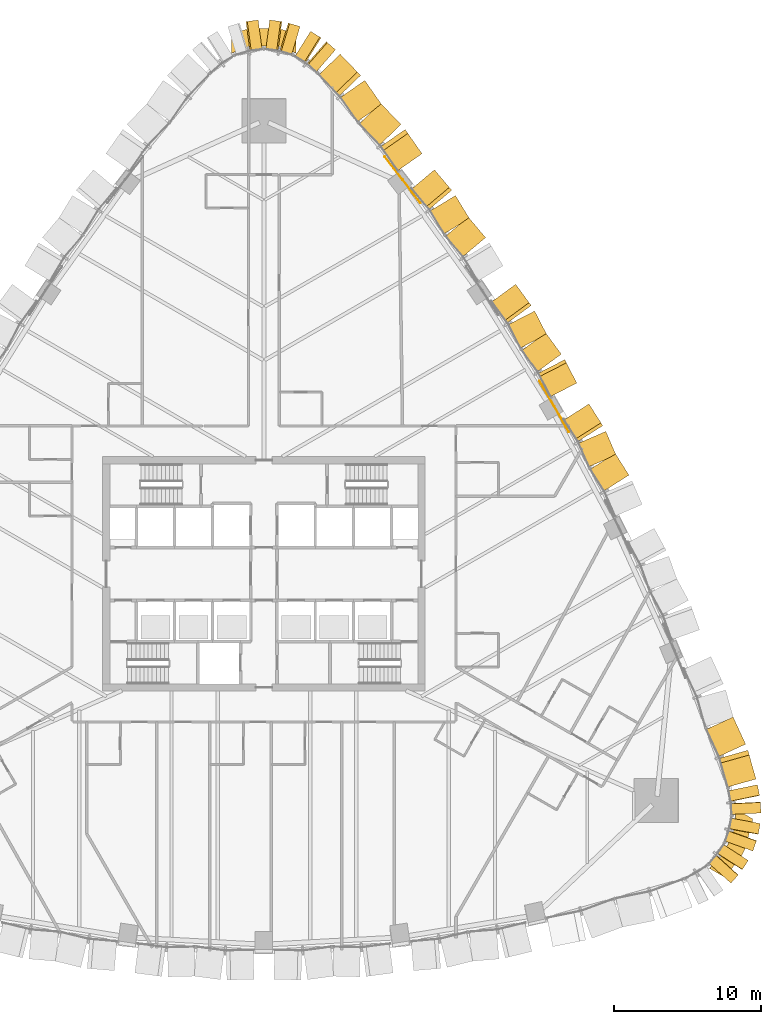
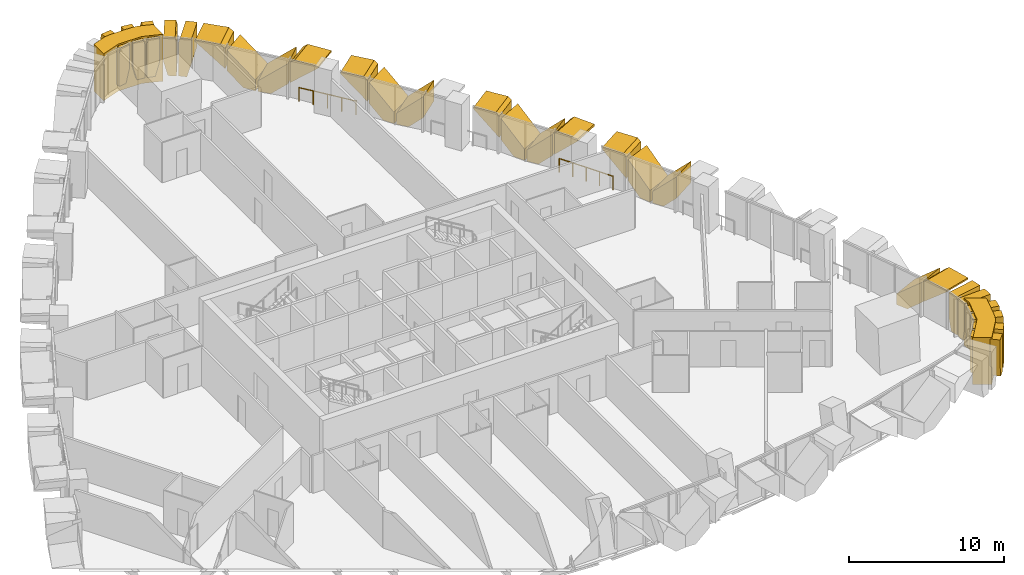
# One storey, part 21 of 22: 29 coverings, 2 railings.
"""IFC4 building model written with IfcOpenShell, lengths in metres."""

from ifc_helpers import new_model, si_unit, direction, frame, origin, origin_2d, place, context, subcontext, project, spatial, polyline, circle, outline, extrude, material, layer, layer_set, type_object, element, save


model = new_model("IFC4")

# Units and contexts
model_context = context("Model", 3, precision=1e-05, world=origin(), true_north=direction((0.0, 1.0)))
body_context = subcontext(model_context, "Body", "Model", "MODEL_VIEW")
ifc_project = project(units=[si_unit("LENGTHUNIT", "METRE"), si_unit("AREAUNIT", "SQUARE_METRE"), si_unit("VOLUMEUNIT", "CUBIC_METRE"), si_unit("PLANEANGLEUNIT", "RADIAN"), si_unit("MASSUNIT", "GRAM", prefix="KILO")], contexts=[model_context])

# Site, building, storey
site_placement = place(None, origin())
site = spatial("IfcSite", under=ifc_project, at=site_placement, CompositionType="ELEMENT")
building_placement = place(site_placement, origin())
building = spatial("IfcBuilding", under=site, at=building_placement, Name="Sierra Prisma Convention Tower", CompositionType="ELEMENT")
storey_placement = place(building_placement, frame((0.0, 0.0, 62.800048828125)))
storey = spatial("IfcBuildingStorey", under=building, at=storey_placement, Name="L11", CompositionType="ELEMENT", Elevation=62.800048828125)

# Coverings
ifc_material_1 = material(Name="Aluminium composite bronze anodised", Category="aluminium")
ifc_layer_1 = layer(ifc_material_1, 1.199951171875)
ifc_layer_set_1 = layer_set([ifc_layer_1], Name="Bronze corner pier")
covering_type_1 = type_object("IfcCoveringType", Name="Bronze corner pier", PredefinedType="CLADDING", material=ifc_layer_set_1)
covering_1_placement = place(storey_placement, frame((0.0, 0.0, -0.60009765625)))
element("IfcCovering", 1, at=covering_1_placement, inside=storey, type_object=covering_type_1, Name="Corner pier SE L11.1", PredefinedType="CLADDING", context=body_context, shape_type="SweptSolid", body=[
    extrude(outline(polyline([(33.322265625, -16.860107421875), (32.806640625, -18.777099609375), (32.602294921875, -19.192626953125), (31.453369140625, -20.699951171875), (30.381591796875, -20.0810546875), (30.4443359375, -20.044189453125), (31.647705078125, -18.465087890625), (32.16357421875, -16.548095703125), (32.0927734375, -15.988525390625), (33.3330078125, -16.70458984375), (33.322265625, -16.860107421875)])), origin(), (0.0, 0.0, 1.0), 3.699951171875),
])
covering_2_placement = place(storey_placement, frame((0.0, 0.0, -0.60009765625)))
element("IfcCovering", 2, at=covering_2_placement, inside=storey, type_object=covering_type_1, Name="Corner pier N L11.1", PredefinedType="CLADDING", context=body_context, shape_type="SweptSolid", body=[
    extrude(outline(polyline([(-1.26904296875, 37.133544921875), (-0.869140625, 37.2021484375), (0.869140625, 37.2021484375), (1.26904296875, 37.133544921875), (2.199951171875, 36.8046875), (2.199951171875, 35.531982421875), (0.869140625, 36.002197265625), (-0.869140625, 36.002197265625), (-2.199951171875, 35.531982421875), (-2.199951171875, 36.8046875), (-1.26904296875, 37.133544921875)])), origin(), (0.0, 0.0, 1.0), 3.699951171875),
])
ifc_material_2 = material(Name="Aluminium 6063-T6 bronze anodised", Category="aluminium")
ifc_layer_2 = layer(ifc_material_2, 2.0)
ifc_layer_set_2 = layer_set([ifc_layer_2], Name="Bronze crystal chevron frame")
covering_type_2 = type_object("IfcCoveringType", Name="Bronze crystal chevron frame", PredefinedType="CLADDING", material=ifc_layer_set_2)
covering_3_placement = place(storey_placement, frame((31.8515625, -21.090087890625, 2.97998046875), z_axis=(0.745301361031, -0.666727741292, -1.5376713e-05), x_axis=(-1.1460285e-05, 1.0252081e-05, -0.999999999882)))
element("IfcCovering", 3, at=covering_3_placement, inside=storey, type_object=covering_type_2, Name="CW-2 chevron frame SE2.1.1", PredefinedType="CLADDING", context=body_context, shape_type="SweptSolid", body=[
    extrude(outline(polyline([(0.0, 0.0), (2.1345214841226534, 0.0), (2.979980466941989, 0.20055938361238712), (2.979980468239649, 0.7521168715590856), (0.10449218732959416, 0.7521168715590856), (-2.921495473278123e-09, 0.7273820907688204), (0.0, 0.0)])), origin(), (0.0, 0.0, -1.0), 2.0),
])
covering_4_placement = place(storey_placement, frame((32.621826171875, -20.177001953125, 0.0), z_axis=(0.84047336204, -0.541852863517, 4.470898e-05), x_axis=(0.541852864059, 0.84047336288, -1.1896e-08)))
element("IfcCovering", 4, at=covering_4_placement, inside=storey, type_object=covering_type_2, Name="CW-2 chevron frame SE2.1.2", PredefinedType="CLADDING", context=body_context, shape_type="SweptSolid", body=[
    extrude(outline(polyline([(0.0, 0.0), (0.5517159850052902, -3.3881317890172014e-21), (0.7520356263222021, 0.8454589936443122), (0.7520356009301955, 2.9799804758859723), (0.02492247840084312, 2.9799804701429413), (-3.420645710714503e-08, 2.8754882783761033), (0.0, 0.0)])), origin(), (0.0, 0.0, -1.0), 2.0),
])
covering_5_placement = place(storey_placement, frame((33.346435546875, -18.900390625, 2.97998046875), z_axis=(0.942322413244, -0.334706541419, -2.5097434e-05), x_axis=(-2.3649874e-05, 8.400275e-06, -0.999999999685)))
element("IfcCovering", 5, at=covering_5_placement, inside=storey, type_object=covering_type_2, Name="CW-2 chevron frame SE3.1.1", PredefinedType="CLADDING", context=body_context, shape_type="SweptSolid", body=[
    extrude(outline(polyline([(0.0, 0.0), (2.134521483702753, -3.6160200477755605e-21), (2.9799804731209254, 0.20045584483838508), (2.9799804685386824, 0.7521104518602785), (0.10449218819428985, 0.7521104518602785), (2.2090294509080264e-09, 0.7274765036917785), (0.0, 0.0)])), origin(), (0.0, 0.0, -1.0), 2.0),
])
covering_6_placement = place(storey_placement, frame((33.71337890625, -17.763427734375, 0.0), z_axis=(0.983088644382, -0.183130324468, 3.9333451e-05), x_axis=(0.18313032461, 0.983088645143, -4.635e-09)))
element("IfcCovering", 6, at=covering_6_placement, inside=storey, type_object=covering_type_2, Name="CW-2 chevron frame SE3.1.2", PredefinedType="CLADDING", context=body_context, shape_type="SweptSolid", body=[
    extrude(outline(polyline([(0.0, 0.0), (0.5515761316528729, 8.470329472543003e-22), (0.7519721446580743, 0.8454589877504296), (0.7519721347638046, 2.9799804704742483), (0.024805945746598158, 2.97998047248897), (-1.3328915301888635e-08, 2.875488279025636), (0.0, 0.0)])), origin(), (0.0, 0.0, -1.0), 2.0),
])
covering_7_placement = place(storey_placement, frame((33.900390625, -16.3076171875, 2.97998046875), z_axis=(0.998892114101, 0.047058942783, 1.7064717e-05), x_axis=(1.7045811e-05, 8.03048e-07, -0.999999999854)))
element("IfcCovering", 7, at=covering_7_placement, inside=storey, type_object=covering_type_2, Name="CW-2 chevron frame SE4.1.1", PredefinedType="CLADDING", context=body_context, shape_type="SweptSolid", body=[
    extrude(outline(polyline([(0.0, 0.0), (2.134521484064209, 0.0), (2.9799804667810363, 0.2004215899538072), (2.9799804681536703, 0.7520543413673055), (0.10449218732234761, 0.7520543413673055), (-3.3178473548976773e-09, 0.7273775007154407), (0.0, 0.0)])), origin(), (0.0, 0.0, -1.0), 2.0),
])
covering_8_placement = place(storey_placement, frame((33.809326171875, -15.116455078125, 0.0), z_axis=(0.979213870913, 0.202830456512, 3.0361955e-05), x_axis=(-0.202830456605, 0.979213871365, -5.157e-09)))
element("IfcCovering", 8, at=covering_8_placement, inside=storey, type_object=covering_type_2, Name="CW-2 chevron frame SE4.1.2", PredefinedType="CLADDING", context=body_context, shape_type="SweptSolid", body=[
    extrude(outline(polyline([(0.0, 0.0), (0.5517325797010699, 4.235164736271502e-22), (0.7522112469304656, 0.8454589883773019), (0.7522112359226721, 2.979980471768449), (0.02494647553185384, 2.979980469583932), (-1.4828982200340594e-08, 2.8754882799246175), (0.0, 0.0)])), origin(), (0.0, 0.0, -1.0), 2.0),
])
covering_9_placement = place(storey_placement, frame((33.56201171875, -13.9912109375, 2.97998046875), z_axis=(0.962457060128, 0.271433983008, 1.6677206e-05), x_axis=(1.6051095e-05, 4.52676e-06, -0.999999999861)))
element("IfcCovering", 9, at=covering_9_placement, inside=storey, type_object=covering_type_2, Name="CW-2 chevron frame NE1.1.1", PredefinedType="CLADDING", context=body_context, shape_type="SweptSolid", body=[
    extrude(outline(polyline([(0.0, 0.0), (0.12060546873322806, -1.0215680565029892e-22), (1.863769531070126, 2.0399638555111608), (0.28515625003965517, 2.0399638555111608), (-4.726023523688485e-10, 1.7061514778220512), (0.0, 0.0)])), origin(), (0.0, 0.0, -1.0), 2.0),
])
covering_10_placement = place(storey_placement, frame((32.85498046875, -11.61181640625, 2.583740234375), z_axis=(0.908180613768, 0.418578512833, -3.7024406e-05), x_axis=(-3.3624848e-05, -1.5497621e-05, -0.999999999315)))
element("IfcCovering", 10, at=covering_10_placement, inside=storey, type_object=covering_type_2, Name="CW-2 chevron frame NE1.1.2", PredefinedType="CLADDING", context=body_context, shape_type="SweptSolid", body=[
    extrude(outline(polyline([(0.0, 0.0), (1.5786132801680133, 0.0), (2.583740237298172, 1.176162853740327), (2.583740233981931, 2.0395838334373684), (1.7431640626830645, 2.0395838334373684), (0.0, 0.0)])), origin(), (0.0, 0.0, -1.0), 2.0),
])
covering_11_placement = place(storey_placement, frame((24.897705078125, 6.741455078125, 2.6279296875), z_axis=(0.844182567568, 0.536055773422, -1.9893637e-05), x_axis=(-1.6793862e-05, -1.0664099e-05, -0.999999999802)))
element("IfcCovering", 11, at=covering_11_placement, inside=storey, type_object=covering_type_2, Name="CW-2 chevron frame NE3.1.2", PredefinedType="CLADDING", context=body_context, shape_type="SweptSolid", body=[
    extrude(outline(polyline([(0.0, 0.0), (1.683837890291805, 2.852532342389116e-21), (2.6279296883765397, 0.9590436654439747), (2.6279296873536206, 1.7543208729270194), (1.7270507812818847, 1.7543208729270194), (0.0, 0.0)])), origin(), (0.0, 0.0, -1.0), 2.0),
])
covering_12_placement = place(storey_placement, frame((24.015380859375, 8.112548828125, 0.0), z_axis=(0.917620305561, 0.397458141106, -2.9839609e-05), x_axis=(-0.397458141283, 0.91762030597, -2.894e-09)))
element("IfcCovering", 12, at=covering_12_placement, inside=storey, type_object=covering_type_2, Name="CW-2 chevron frame NE3.2.1", PredefinedType="CLADDING", context=body_context, shape_type="SweptSolid", body=[
    extrude(outline(polyline([(0.0, 0.0), (0.7952820770275428, 1.6940658945086007e-21), (1.7543771332709117, 0.9440918023722383), (1.7543771283981149, 2.6279296922475917), (-2.6070204390299747e-09, 0.9008789058489276), (0.0, 0.0)])), origin(), (0.0, 0.0, -1.0), 2.0),
])
covering_13_placement = place(storey_placement, frame((22.169921875, 11.59521484375, 2.97998046875), z_axis=(0.844171641928, 0.536072973795, -7.5701888e-05), x_axis=(0.536072975332, -0.844171644347, 7e-09)))
element("IfcCovering", 13, at=covering_13_placement, inside=storey, type_object=covering_type_2, Name="CW-2 chevron frame NE3.2.2", PredefinedType="CLADDING", context=body_context, shape_type="SweptSolid", body=[
    extrude(outline(polyline([(0.0, 0.0), (1.5268151359358988, 0.0), (1.7543208713766443, 0.2241211066725951), (1.7543208595896302, 1.9079589924727463), (-1.2680824237518165e-09, 0.18115234323092824), (0.0, 0.0)])), origin(), (0.0, 0.0, -1.0), 2.0),
])
covering_14_placement = place(storey_placement, frame((21.33837890625, 13.019775390625, 2.97998046875), z_axis=(0.889008997325, 0.457889727385, -1.5197877e-05), x_axis=(-1.3511049e-05, -6.958952e-06, -0.999999999885)))
element("IfcCovering", 14, at=covering_14_placement, inside=storey, type_object=covering_type_2, Name="CW-2 chevron frame NE4.1.1", PredefinedType="CLADDING", context=body_context, shape_type="SweptSolid", body=[
    extrude(outline(polyline([(0.0, 0.0), (0.17065429685529152, 0.0), (1.9003906248347195, 1.7962984238063513), (0.23461914065209563, 1.7962984238063513), (-4.241692730003421e-10, 1.5526933002328134), (0.0, 0.0)])), origin(), (0.0, 0.0, -1.0), 2.0),
])
covering_15_placement = place(storey_placement, frame((20.282470703125, 14.99365234375, 2.620361328125), z_axis=(0.806340683124, 0.591451352093, -2.9107441e-05), x_axis=(-2.3470514e-05, -1.7215635e-05, -0.999999999576)))
element("IfcCovering", 15, at=covering_15_placement, inside=storey, type_object=covering_type_2, Name="CW-2 chevron frame NE4.1.2", PredefinedType="CLADDING", context=body_context, shape_type="SweptSolid", body=[
    extrude(outline(polyline([(0.0, 0.0), (1.6660156242942399, 2.8223402500309304e-21), (2.620361329989618, 0.9913636586899384), (2.6203613278235216, 1.7963905176752066), (1.7297363282008091, 1.7963905176752066), (0.0, 0.0)])), origin(), (0.0, 0.0, -1.0), 2.0),
])
covering_16_placement = place(storey_placement, frame((19.285400390625, 16.336669921875, 0.0), z_axis=(0.888929847842, 0.458043365945, 2.3017126e-05), x_axis=(-0.458043366066, 0.888929848077, -1.683e-09)))
element("IfcCovering", 16, at=covering_16_placement, inside=storey, type_object=covering_type_2, Name="CW-2 chevron frame NE4.2.1", PredefinedType="CLADDING", context=body_context, shape_type="SweptSolid", body=[
    extrude(outline(polyline([(0.0, 0.0), (0.8049557781920289, 8.470329472543003e-22), (1.7961931990945106, 0.9543457064002071), (1.7961931962911502, 2.6203613309588896), (-1.4986310876369937e-09, 0.8906249997640787), (0.0, 0.0)])), origin(), (0.0, 0.0, -1.0), 2.0),
])
covering_17_placement = place(storey_placement, frame((17.1669921875, 19.759033203125, 2.97998046875), z_axis=(0.806391743114, 0.591381732113, -5.9669448e-05), x_axis=(0.591381733166, -0.806391744549, 4.21e-09)))
element("IfcCovering", 17, at=covering_17_placement, inside=storey, type_object=covering_type_2, Name="CW-2 chevron frame NE4.2.2", PredefinedType="CLADDING", context=body_context, shape_type="SweptSolid", body=[
    extrude(outline(polyline([(0.0, 0.0), (1.5529202485265752, 6.776263578034403e-21), (1.7962461272878856, 0.2346191486056742), (1.7962461202742421, 1.900390630015232), (-7.185309710749492e-10, 0.17065429657119754), (0.0, 0.0)])), origin(), (0.0, 0.0, -1.0), 2.0),
])
covering_18_placement = place(storey_placement, frame((15.116943359375, 22.943359375, 2.614501953125), z_axis=(0.765020947194, 0.644005396173, -7.39991e-06), x_axis=(-5.661086e-06, -4.765582e-06, -0.999999999973)))
element("IfcCovering", 18, at=covering_18_placement, inside=storey, type_object=covering_type_2, Name="CW-2 chevron frame NE5.1.2", PredefinedType="CLADDING", context=body_context, shape_type="SweptSolid", body=[
    extrude(outline(polyline([(0.0, 0.0), (1.6520996093297666, -6.996914006432923e-22), (2.614501953244925, 1.0170869718634914), (2.614501953106117, 1.8298935934427574), (1.7316894531302873, 1.8298935934427574), (0.0, 0.0)])), origin(), (0.0, 0.0, -1.0), 2.0),
])
covering_19_placement = place(storey_placement, frame((14.0107421875, 24.2421875, 0.0), z_axis=(0.856335439645, 0.516419998418, -6.46448e-06), x_axis=(-0.516419998429, 0.856335439663, -1.3e-10)))
element("IfcCovering", 19, at=covering_19_placement, inside=storey, type_object=covering_type_2, Name="CW-2 chevron frame NE5.2.1", PredefinedType="CLADDING", context=body_context, shape_type="SweptSolid", body=[
    extrude(outline(polyline([(0.0, 0.0), (0.813113054496184, 8.470329472543003e-22), (1.8300485841311087, 0.9624023440085289), (1.8300485839158724, 2.614501953349009), (-1.1501320201631027e-10, 0.882812499981554), (0.0, 0.0)])), origin(), (0.0, 0.0, -1.0), 2.0),
])
covering_20_placement = place(storey_placement, frame((11.62890625, 27.56982421875, 2.97998046875), z_axis=(0.764951748938, 0.644087588508, -1.1267508e-05), x_axis=(0.644087588549, -0.764951748986, 1.46e-10)))
element("IfcCovering", 20, at=covering_20_placement, inside=storey, type_object=covering_type_2, Name="CW-2 chevron frame NE5.2.2", PredefinedType="CLADDING", context=body_context, shape_type="SweptSolid", body=[
    extrude(outline(polyline([(0.0, 0.0), (1.5737863139420614, 0.0), (1.8300508315567348, 0.24243164090832806), (1.8300508313148498, 1.8945312501784557), (-2.384176945647665e-11, 0.16284179686466307), (0.0, 0.0)])), origin(), (0.0, 0.0, -1.0), 2.0),
])
covering_21_placement = place(storey_placement, frame((10.782958984375, 28.666015625, 2.97998046875), z_axis=(0.819836289552, 0.572597987092, 5.9260861e-05), x_axis=(4.8584204e-05, 3.393265e-05, -0.999999998244)))
element("IfcCovering", 21, at=covering_21_placement, inside=storey, type_object=covering_type_2, Name="CW-2 chevron frame NE6.1.1", PredefinedType="CLADDING", context=body_context, shape_type="SweptSolid", body=[
    extrude(outline(polyline([(0.0, 0.0), (0.12524414040508072, 0.0), (1.8671874977056375, 2.013359585739724), (0.2802734379921391, 2.013359585739724), (-6.012842131979828e-09, 1.6891466482778488), (0.0, 0.0)])), origin(), (0.0, 0.0, -1.0), 2.0),
])
covering_22_placement = place(storey_placement, frame((9.3486328125, 30.6591796875, 2.587158203125), z_axis=(0.720083183984, 0.693887748946, -2.569078e-06), x_axis=(-1.84995e-06, -1.782652e-06, -0.999999999997)))
element("IfcCovering", 22, at=covering_22_placement, inside=storey, type_object=covering_type_2, Name="CW-2 chevron frame NE6.1.2", PredefinedType="CLADDING", context=body_context, shape_type="SweptSolid", body=[
    extrude(outline(polyline([(0.0, 0.0), (1.586914062494763, 3.360421238496675e-22), (2.5871582031391167, 1.1561520508878127), (2.587158203123064, 2.013251866697077), (1.7419433593758533, 2.013251866697077), (0.0, 0.0)])), origin(), (0.0, 0.0, -1.0), 2.0),
])
covering_23_placement = place(storey_placement, frame((7.5400390625, 32.715576171875, 0.0), z_axis=(0.819841916314, 0.572589933761, 3.169802e-06), x_axis=(-0.433054529854, 0.620049639273, 0.654218785278)))
element("IfcCovering", 23, at=covering_23_placement, inside=storey, type_object=covering_type_2, Name="CW-2 chevron frame NE6.2.1", PredefinedType="CLADDING", context=body_context, shape_type="SweptSolid", body=[
    extrude(outline(polyline([(0.0, 0.0), (1.5289138177598225, 1.1102230246251565e-16), (2.567102808069, 1.2001915939281371), (-0.09522388481488897, 1.1999281760687248), (-0.6481793131918693, 0.5606876686565387), (0.0, 0.0)])), origin(), (0.0, 0.0, -1.0), 2.0),
])
covering_24_placement = place(storey_placement, frame((5.199462890625, 35.4560546875, 2.97998046875), z_axis=(0.720202064177, 0.693764359626, 8.255521e-06), x_axis=(0.69376435965, -0.720202064201, 6.9e-11)))
element("IfcCovering", 24, at=covering_24_placement, inside=storey, type_object=covering_type_2, Name="CW-2 chevron frame NE6.2.2", PredefinedType="CLADDING", context=body_context, shape_type="SweptSolid", body=[
    extrude(outline(polyline([(0.0, 0.0), (1.689168899471127, -8.470329472543003e-22), (2.01325829120319, 0.2802734376486291), (2.013258291093564, 1.8671875000945521), (-8.652013220071707e-12, 0.12524414062073208), (0.0, 0.0)])), origin(), (0.0, 0.0, -1.0), 2.0),
])
covering_25_placement = place(storey_placement, frame((4.88330078125, 35.75634765625, 2.97998046875), z_axis=(0.655892204575, 0.754854565316, 3.4619536e-05), x_axis=(2.2706684e-05, 2.6132715e-05, -0.999999999401)))
element("IfcCovering", 25, at=covering_25_placement, inside=storey, type_object=covering_type_2, Name="CW-2 chevron frame N1.1.1", PredefinedType="CLADDING", context=body_context, shape_type="SweptSolid", body=[
    extrude(outline(polyline([(0.0, 0.0), (1.8906249988670314, 0.0), (2.9799804676461195, 0.28398634305071135), (2.9799804674528536, 0.8389828548834235), (0.35034179715368086, 0.8389828548834235), (-5.703516302179269e-09, 0.7476209237386555), (0.0, 0.0)])), origin(), (0.0, 0.0, -1.0), 2.0),
])
covering_26_placement = place(storey_placement, frame((3.8935546875, 36.5703125, 0.0), z_axis=(0.52973003457, 0.848166310594, -6.858818e-06), x_axis=(-0.848166310614, 0.529730034582, -3.84e-10)))
element("IfcCovering", 26, at=covering_26_placement, inside=storey, type_object=covering_type_2, Name="CW-2 chevron frame N1.1.2", PredefinedType="CLADDING", context=body_context, shape_type="SweptSolid", body=[
    extrude(outline(polyline([(0.0, 0.0), (0.5549461934819021, 0.0), (0.8387854712785537, 1.0893554690956628), (0.8387854705525055, 2.9799804690511924), (0.09124884341422877, 2.9799804687358935), (-1.0098482668437134e-09, 2.629638671813147), (0.0, 0.0)])), origin(), (0.0, 0.0, -1.0), 2.0),
])
covering_27_placement = place(storey_placement, frame((2.462890625, 37.339599609375, 2.97998046875), z_axis=(0.286690096858, 0.958023375197, 3.0662909e-05), x_axis=(8.790752e-06, 2.9375783e-05, -0.99999999953)))
element("IfcCovering", 27, at=covering_27_placement, inside=storey, type_object=covering_type_2, Name="CW-2 chevron frame N2.1.1", PredefinedType="CLADDING", context=body_context, shape_type="SweptSolid", body=[
    extrude(outline(polyline([(0.0, 0.0), (1.890624999111204, 0.0), (2.9799804740396048, 0.28369983141865573), (2.9799804685162856, 0.8386827819317639), (0.3503417978774973, 0.8386827819317639), (2.114582915322552e-09, 0.7474600746905796), (0.0, 0.0)])), origin(), (0.0, 0.0, -1.0), 2.0),
])
covering_28_placement = place(storey_placement, frame((1.225830078125, 37.673583984375, 0.0), z_axis=(0.133300750451, 0.991075632725, -1.2143451e-05), x_axis=(-0.991075632798, 0.133300750461, -1.64e-10)))
element("IfcCovering", 28, at=covering_28_placement, inside=storey, type_object=covering_type_2, Name="CW-2 chevron frame N2.1.2", PredefinedType="CLADDING", context=body_context, shape_type="SweptSolid", body=[
    extrude(outline(polyline([(0.0, 0.0), (0.5550008613486899, -2.117582368135751e-22), (0.8387852228169432, 1.0893554688770404), (0.8387852225071549, 2.9799804687376414), (0.09115308097129003, 2.979980469234524), (-4.308794090279579e-10, 2.6296386716811124), (0.0, 0.0)])), origin(), (0.0, 0.0, -1.0), 2.0),
])
covering_29_placement = place(storey_placement, frame((-0.39453125, 37.785400390625, 2.97998046875), z_axis=(-0.133300750451, 0.991075632725, -1.2143451e-05), x_axis=(1.618731e-06, -1.2035079e-05, -0.999999999926)))
element("IfcCovering", 29, at=covering_29_placement, inside=storey, type_object=covering_type_2, Name="CW-2 chevron frame N3.1.1", PredefinedType="CLADDING", context=body_context, shape_type="SweptSolid", body=[
    extrude(outline(polyline([(0.0, 0.0), (1.890624999860601, 0.0), (2.9799804686911417, 0.2837843616467498), (2.9799804686002025, 0.8387852229954398), (0.3503417969190899, 0.8387852229954398), (-6.193855896930691e-10, 0.7476321415358651), (0.0, 0.0)])), origin(), (0.0, 0.0, -1.0), 2.0),
])

# Railings
ifc_material_3 = material(Name="Bronze anodised aluminium", Category="aluminium")
railing_type = type_object("IfcRailingType", Name="Facade guard 1100", PredefinedType="GUARDRAIL", material=ifc_material_3)
railing_1_placement = place(storey_placement, frame((20.7900390625, 9.699462890625, 0.0)))
element("IfcRailing", 30, at=railing_1_placement, inside=storey, type_object=railing_type, Name="Facade guard", PredefinedType="GUARDRAIL", context=body_context, shape_type="SweptSolid", body=[
    extrude(circle(Radius=0.02392578125, at=origin_2d()), frame((0.0, 0.0, 1.076171875), z_axis=(-0.489993146954, 0.871726284987, 0.0), x_axis=(-0.871726284987, -0.489993146954, 0.0)), (0.0, 0.0, 1.0), 0.99462890625),
    extrude(circle(Radius=0.02392578125, at=origin_2d()), frame((-0.4873046875, 0.866943359375, 1.076171875), z_axis=(-0.49766343402, 0.867370224552, 0.0), x_axis=(-0.867370224552, -0.49766343402, 0.0)), (0.0, 0.0, 1.0), 0.999755859375),
    extrude(circle(Radius=0.02392578125, at=origin_2d()), frame((-0.98486328125, 1.734130859375, 1.076171875), z_axis=(-0.502496720194, 0.864579115058, 0.0), x_axis=(-0.864579115058, -0.502496720194, 0.0)), (0.0, 0.0, 1.0), 0.99462890625),
    extrude(circle(Radius=0.02392578125, at=origin_2d()), frame((-1.484619140625, 2.593994140625, 1.076171875), z_axis=(-0.509568123678, 0.860430315209, 0.0), x_axis=(-0.860430315209, -0.509568123678, 0.0)), (0.0, 0.0, 1.0), 1.0),
    extrude(circle(Radius=0.02099609375, at=origin_2d()), origin(), (0.0, 0.0, 1.0), 1.052001953125),
    extrude(circle(Radius=0.02099609375, at=origin_2d()), frame((-0.4873046875, 0.866943359375, 0.0)), (0.0, 0.0, 1.0), 1.052001953125),
    extrude(circle(Radius=0.02099609375, at=origin_2d()), frame((-0.98486328125, 1.734130859375, 0.0)), (0.0, 0.0, 1.0), 1.052001953125),
    extrude(circle(Radius=0.02099609375, at=origin_2d()), frame((-1.484619140625, 2.593994140625, 0.0)), (0.0, 0.0, 1.0), 1.052001953125),
    extrude(circle(Radius=0.02099609375, at=origin_2d()), frame((-1.994140625, 3.454345703125, 0.0)), (0.0, 0.0, 1.0), 1.052001953125),
])
railing_2_placement = place(storey_placement, frame((10.6728515625, 25.296142578125, 0.0)))
element("IfcRailing", 31, at=railing_2_placement, inside=storey, type_object=railing_type, Name="Facade guard", PredefinedType="GUARDRAIL", context=body_context, shape_type="SweptSolid", body=[
    extrude(circle(Radius=0.02392578125, at=origin_2d()), frame((0.0, 0.0, 1.076171875), z_axis=(-0.601561352614, 0.798826601361, 0.0), x_axis=(-0.798826601361, -0.601561352614, 0.0)), (0.0, 0.0, 1.0), 1.0),
    extrude(circle(Radius=0.02392578125, at=origin_2d()), frame((-0.6015625, 0.798828125, 1.076171875), z_axis=(-0.606656987656, 0.794963709441, 0.0), x_axis=(-0.794963709441, -0.606656987656, 0.0)), (0.0, 0.0, 1.0), 0.994384765625),
    extrude(circle(Radius=0.02392578125, at=origin_2d()), frame((-1.204833984375, 1.58935546875, 1.076171875), z_axis=(-0.612621241792, 0.790376628011, 0.0), x_axis=(-0.790376628011, -0.612621241792, 0.0)), (0.0, 0.0, 1.0), 1.0),
    extrude(circle(Radius=0.02392578125, at=origin_2d()), frame((-1.8173828125, 2.379638671875, 1.076171875), z_axis=(-0.618027486735, 0.786156489282, 0.0), x_axis=(-0.786156489282, -0.618027486735, 0.0)), (0.0, 0.0, 1.0), 0.99462890625),
    extrude(circle(Radius=0.02099609375, at=origin_2d()), origin(), (0.0, 0.0, 1.0), 1.052001953125),
    extrude(circle(Radius=0.02099609375, at=origin_2d()), frame((-0.6015625, 0.798828125, 0.0)), (0.0, 0.0, 1.0), 1.052001953125),
    extrude(circle(Radius=0.02099609375, at=origin_2d()), frame((-1.204833984375, 1.58935546875, 0.0)), (0.0, 0.0, 1.0), 1.052001953125),
    extrude(circle(Radius=0.02099609375, at=origin_2d()), frame((-1.8173828125, 2.379638671875, 0.0)), (0.0, 0.0, 1.0), 1.052001953125),
    extrude(circle(Radius=0.02099609375, at=origin_2d()), frame((-2.43212890625, 3.16162109375, 0.0)), (0.0, 0.0, 1.0), 1.052001953125),
])

save(model, "model.ifc")
